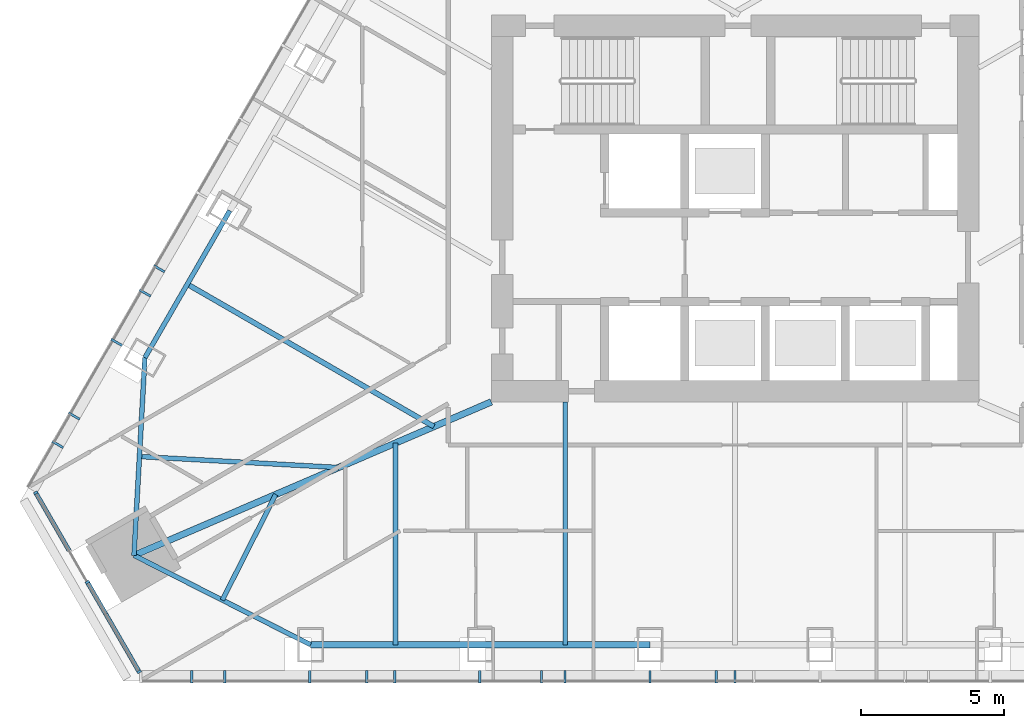
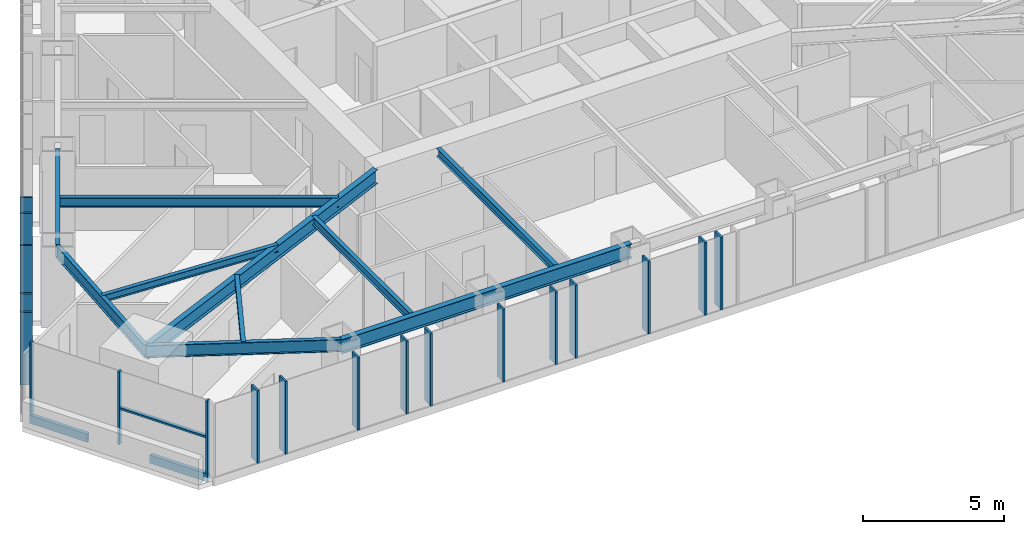
# One storey, part 2 of 15: 22 members, 10 beams, 3 elements without a shape of their own.
"""IFC4 building model written with IfcOpenShell, lengths in metres."""

import ifcopenshell
import ifcopenshell.guid

model = None  # the IFC model being written
_history = None  # IfcOwnerHistory: only IFC2X3 demands one
_inside = {}  # id of a spatial element -> (the spatial element, [elements in it])
_under = {}  # id of a project, library or spatial element -> (it, [spatial elements below it])
_declared = {}  # id of a project -> (the project, [libraries it declares])
_typed = {}  # id of a type object -> (the type object, [elements of that type])
_made_of = {}  # id of a material, layer set ... -> (it, [elements and type objects made of it])


def new_model(schema):
    """Start an empty IFC model of exactly this schema.

    Asked for "IFC4X3", IfcOpenShell would pick the latest addendum, in which some entities
    have other attributes; the version numbers below select the first issue.
    IFC2X3 requires an IfcOwnerHistory on every rooted entity: one is made here for all.
    """
    global model, _history
    if schema == "IFC4X3":
        model = ifcopenshell.file(schema_version=(4, 3, 0, 0))
    else:
        model = ifcopenshell.file(schema=schema)
    _inside.clear()
    _under.clear()
    _declared.clear()
    _typed.clear()
    _made_of.clear()
    _history = None
    if model.schema == "IFC2X3":
        org = make("IfcOrganization", Name="unknown")
        user = make(
            "IfcPersonAndOrganization",
            ThePerson=make("IfcPerson", FamilyName="unknown"),
            TheOrganization=org,
        )
        app = make(
            "IfcApplication",
            ApplicationDeveloper=org,
            Version="unknown",
            ApplicationFullName="unknown",
            ApplicationIdentifier="unknown",
        )
        _history = make(
            "IfcOwnerHistory",
            OwningUser=user,
            OwningApplication=app,
            ChangeAction="ADDED",
            CreationDate=0,
        )
    return model


def make(cls, **values):
    """One entity of the class cls with the attributes given. An attribute that is None is left unset."""
    return model.create_entity(
        cls, **{name: value for name, value in values.items() if value is not None}
    )


def rooted(cls, **values):
    """An entity with a GlobalId (a new one), such as an element, a storey or a relation."""
    return make(cls, GlobalId=ifcopenshell.guid.new(), OwnerHistory=_history, **values)


def si_unit(unit_type, name, prefix=None):
    """IfcSIUnit, for example si_unit("LENGTHUNIT", "METRE", prefix="MILLI")."""
    return make("IfcSIUnit", UnitType=unit_type, Prefix=prefix, Name=name)


def assignment(units):
    """IfcUnitAssignment: the units of a project."""
    return None if units is None else make("IfcUnitAssignment", Units=units)


def point(xyz):
    """IfcCartesianPoint."""
    return None if xyz is None else make("IfcCartesianPoint", Coordinates=xyz)


def direction(xyz):
    """IfcDirection."""
    return None if xyz is None else make("IfcDirection", DirectionRatios=xyz)


def frame(location, z_axis=None, x_axis=None):
    """IfcAxis2Placement3D, a coordinate frame: its origin and axes. An axis left out is left unset."""
    return make(
        "IfcAxis2Placement3D",
        Location=point(location),
        Axis=direction(z_axis),
        RefDirection=direction(x_axis),
    )


def frame_2d(location, x_axis=None):
    """IfcAxis2Placement2D, a coordinate frame in the plane: its origin and x axis."""
    return make(
        "IfcAxis2Placement2D", Location=point(location), RefDirection=direction(x_axis)
    )


def origin():
    """The frame at (0, 0, 0) with its axes left unset."""
    return frame((0.0, 0.0, 0.0))


def origin_2d():
    """The frame at (0, 0) in the plane with its x axis left unset."""
    return frame_2d((0.0, 0.0))


def place(relative_to, where):
    """IfcLocalPlacement: puts the frame where relative to a parent placement (None: the world)."""
    return make(
        "IfcLocalPlacement", PlacementRelTo=relative_to, RelativePlacement=where
    )


def context(
    kind, dimensions, precision=None, world=None, true_north=None, identifier=None
):
    """IfcGeometricRepresentationContext, for example the 3D "Model" context."""
    return make(
        "IfcGeometricRepresentationContext",
        ContextIdentifier=identifier,
        ContextType=kind,
        CoordinateSpaceDimension=dimensions,
        Precision=precision,
        WorldCoordinateSystem=world,
        TrueNorth=true_north,
    )


def subcontext(parent, identifier, kind, view, scale=None):
    """IfcGeometricRepresentationSubContext, for example "Body" below "Model"."""
    return make(
        "IfcGeometricRepresentationSubContext",
        ContextIdentifier=identifier,
        ContextType=kind,
        ParentContext=parent,
        TargetScale=scale,
        TargetView=view,
    )


def project(units=None, contexts=None):
    """IfcProject with its units and contexts."""
    return rooted(
        "IfcProject",
        Name="project",
        RepresentationContexts=contexts,
        UnitsInContext=assignment(units),
    )


def spatial(cls, under=None, at=None, **own):
    """A site, building, storey or space (cls), placed at a placement, below another one or the project."""
    s = rooted(cls, ObjectPlacement=at, **own)
    if under is not None:
        _under.setdefault(under.id(), (under, []))[1].append(s)
    return s


def profile(cls, at=None, kind="AREA", **sizes):
    """A parametric profile (cls). Its sizes go by their IFC names, for example OverallWidth=200.0."""
    return make(cls, ProfileType=kind, Position=at, **sizes)


def rectangle(**sizes):
    """IfcRectangleProfileDef."""
    return profile("IfcRectangleProfileDef", **sizes)


def i_section(**sizes):
    """IfcIShapeProfileDef."""
    return profile("IfcIShapeProfileDef", **sizes)


def extrude(swept, where, along, depth):
    """IfcExtrudedAreaSolid: the profile swept, set in the frame where, extruded along a direction by depth."""
    return make(
        "IfcExtrudedAreaSolid",
        SweptArea=swept,
        Position=where,
        ExtrudedDirection=direction(along),
        Depth=depth,
    )


def shape(context_of_items, identifier, shape_type, items):
    """IfcShapeRepresentation: the items that make up one representation, for example the "Body"."""
    return make(
        "IfcShapeRepresentation",
        ContextOfItems=context_of_items,
        RepresentationIdentifier=identifier,
        RepresentationType=shape_type,
        Items=items,
    )


def material(Name=None, Category=None):
    """IfcMaterial."""
    return make("IfcMaterial", Name=Name, Category=Category)


def layer(
    of_material, thickness, ventilated=None, Name=None, Category=None, Priority=None
):
    """IfcMaterialLayer: one layer of a wall or slab, of a material (None: an air gap)."""
    return make(
        "IfcMaterialLayer",
        Material=of_material,
        LayerThickness=thickness,
        IsVentilated=ventilated,
        Name=Name,
        Category=Category,
        Priority=Priority,
    )


def layer_set(layers, Name=None):
    """IfcMaterialLayerSet."""
    return make("IfcMaterialLayerSet", MaterialLayers=layers, LayerSetName=Name)


def material_profile(
    of_material, cross_section, Name=None, Category=None, Priority=None
):
    """IfcMaterialProfile: a cross section and its material."""
    return make(
        "IfcMaterialProfile",
        Name=Name,
        Material=of_material,
        Profile=cross_section,
        Priority=Priority,
        Category=Category,
    )


def profile_set(profiles, Name=None, composite=None):
    """IfcMaterialProfileSet."""
    return make(
        "IfcMaterialProfileSet",
        Name=Name,
        MaterialProfiles=profiles,
        CompositeProfile=composite,
    )


def made_of(thing, what):
    """Note that an element or type object is made of a material, layer set ...; save() writes the relation."""
    if what is not None:
        _made_of.setdefault(what.id(), (what, []))[1].append(thing)
    return thing


def type_object(cls, material=None, **own):
    """A type object (cls), such as IfcWallType, which elements share."""
    return made_of(rooted(cls, **own), material)


def element(
    cls,
    number,
    at=None,
    inside=None,
    cuts=None,
    type_object=None,
    material=None,
    context=None,
    identifier="Body",
    shape_type=None,
    held_by="IfcProductDefinitionShape",
    body=None,
    shapes=None,
    **own,
):
    """One element of the class cls, such as IfcWall. Its Tag is "e" and its number.

    at: its placement. inside: the storey or other place that contains it. cuts: it is an
    opening in that element (IfcRelVoidsElement). A single representation is given by context,
    identifier, shape_type and body (its items); several are given by shapes. held_by: the class
    of the entity that holds the representations. save() writes the other relations.
    """
    e = rooted(cls, Tag="e%d" % number, ObjectPlacement=at, **own)
    if body is not None:
        shapes = [shape(context, identifier, shape_type, body)]
    if shapes is not None:
        e.Representation = make(held_by, Representations=shapes)
    if inside is not None:
        _inside.setdefault(inside.id(), (inside, []))[1].append(e)
    if cuts is not None:
        rooted(
            "IfcRelVoidsElement", RelatingBuildingElement=cuts, RelatedOpeningElement=e
        )
    if type_object is not None:
        _typed.setdefault(type_object.id(), (type_object, []))[1].append(e)
    return made_of(e, material)


def aggregate(whole, parts):
    """IfcRelAggregates: a whole, such as a stair, and the parts it consists of."""
    return rooted("IfcRelAggregates", RelatingObject=whole, RelatedObjects=parts)


def save(model, path):
    """Write the relations noted so far, then the file.

    IfcRelAggregates (storeys below a building ...), IfcRelContainedInSpatialStructure (elements
    in a storey), IfcRelDefinesByType, IfcRelAssociatesMaterial and IfcRelDeclares: one each for
    every whole, place, type object, material and project.
    """
    for whole, parts in _under.values():
        aggregate(whole, parts)
    for where, things in _inside.values():
        rooted(
            "IfcRelContainedInSpatialStructure",
            RelatedElements=things,
            RelatingStructure=where,
        )
    for kind, things in _typed.values():
        rooted("IfcRelDefinesByType", RelatedObjects=things, RelatingType=kind)
    for what, things in _made_of.values():
        rooted("IfcRelAssociatesMaterial", RelatedObjects=things, RelatingMaterial=what)
    for by, libraries in _declared.values():
        rooted("IfcRelDeclares", RelatingContext=by, RelatedDefinitions=libraries)
    model.write(path)


model = new_model("IFC4")

# Units and contexts
model_context = context("Model", 3, precision=1e-05, world=origin(), true_north=direction((0.0, 1.0)))
body_context = subcontext(model_context, "Body", "Model", "MODEL_VIEW")
ifc_project = project(units=[si_unit("LENGTHUNIT", "METRE"), si_unit("AREAUNIT", "SQUARE_METRE"), si_unit("VOLUMEUNIT", "CUBIC_METRE"), si_unit("PLANEANGLEUNIT", "RADIAN"), si_unit("MASSUNIT", "GRAM", prefix="KILO")], contexts=[model_context])

# Site, building, storey
site_placement = place(None, origin())
site = spatial("IfcSite", under=ifc_project, at=site_placement, CompositionType="ELEMENT")
building_placement = place(site_placement, origin())
building = spatial("IfcBuilding", under=site, at=building_placement, Name="Firuza Gate Tower and Library", CompositionType="ELEMENT")
storey_placement = place(building_placement, frame((0.0, 0.0, 309.10009765625)))
storey = spatial("IfcBuildingStorey", under=building, at=storey_placement, Name="L75", CompositionType="ELEMENT", Elevation=309.10009765625)

# Curtain wall, members
ifc_material_1 = material(Name="Aluminium 6063-T6", Category="aluminium")
ifc_layer_1 = layer(ifc_material_1, 0.14990234375)
ifc_layer_set_1 = layer_set([ifc_layer_1], Name="Corner curtain wall, chamfers")
curtain_wall_type_1 = type_object("IfcCurtainWallType", Name="Corner curtain wall, chamfers", PredefinedType="NOTDEFINED", material=ifc_layer_set_1)
placement = place(storey_placement, origin())
curtain_wall_1 = element("IfcCurtainWall", 1, at=placement, inside=storey, type_object=curtain_wall_type_1, Name="CW4 L75 SW corner", PredefinedType="NOTDEFINED")
ifc_material_2 = material(Name="Aluminium 6063-T6", Category="aluminium")
ifc_material_profile_1 = material_profile(ifc_material_2, rectangle(XDim=0.14990234375, YDim=0.080078125, at=origin_2d()))
ifc_profile_set_1 = profile_set([ifc_material_profile_1], Name="Aluminium 6063-T6")
member_type_1 = type_object("IfcMemberType", Name="Curtain wall mullion 80x150", PredefinedType="MULLION", material=ifc_profile_set_1)
member_1_placement = place(storey_placement, frame((50.61328125, 65.0810546875, 0.14990234375), z_axis=(0.0, 0.0, 1.0), x_axis=(0.866025403784, 0.5, 0.0)))
member_1 = element("IfcMember", 2, at=member_1_placement, type_object=member_type_1, Name="Mullion", PredefinedType="MULLION", context=body_context, shape_type="SweptSolid", body=[
    extrude(rectangle(XDim=0.14990234375, YDim=0.080078125, at=origin_2d()), origin(), (0.0, 0.0, 1.0), 3.14990234375),
])
member_2_placement = place(storey_placement, frame((52.4150390625, 61.960693359375, 0.14990234375), z_axis=(0.0, 0.0, 1.0), x_axis=(0.866025403784, 0.5, 0.0)))
member_2 = element("IfcMember", 3, at=member_2_placement, type_object=member_type_1, Name="Mullion", PredefinedType="MULLION", context=body_context, shape_type="SweptSolid", body=[
    extrude(rectangle(XDim=0.14990234375, YDim=0.080078125, at=origin_2d()), origin(), (0.0, 0.0, 1.0), 3.14990234375),
])
member_3_placement = place(storey_placement, frame((54.216796875, 58.840087890625, 0.14990234375), z_axis=(0.0, 0.0, 1.0), x_axis=(0.866025403784, 0.5, 0.0)))
member_3 = element("IfcMember", 4, at=member_3_placement, type_object=member_type_1, Name="Mullion", PredefinedType="MULLION", context=body_context, shape_type="SweptSolid", body=[
    extrude(rectangle(XDim=0.14990234375, YDim=0.080078125, at=origin_2d()), origin(), (0.0, 0.0, 1.0), 3.14990234375),
])

ifc_material_3 = material(Name="Aluminium 6063-T6", Category="aluminium")
ifc_layer_2 = layer(ifc_material_3, 0.14990234375)
ifc_layer_set_2 = layer_set([ifc_layer_2], Name="Unitised curtain wall, residences")
curtain_wall_type_2 = type_object("IfcCurtainWallType", Name="Unitised curtain wall, residences", PredefinedType="NOTDEFINED", material=ifc_layer_set_2)
curtain_wall_2 = element("IfcCurtainWall", 5, at=placement, inside=storey, type_object=curtain_wall_type_2, Name="CW3 L75 S face", PredefinedType="NOTDEFINED")
ifc_material_4 = material(Name="Aluminium 6063-T6", Category="aluminium")
ifc_material_profile_2 = material_profile(ifc_material_4, rectangle(XDim=0.43994140625, YDim=0.080078125, at=origin_2d()))
ifc_profile_set_2 = profile_set([ifc_material_profile_2], Name="Aluminium 6063-T6")
member_type_2 = type_object("IfcMemberType", Name="Curtain wall mullion 80x440", PredefinedType="MULLION", material=ifc_profile_set_2)
member_4_placement = place(storey_placement, frame((57.202880859375, 58.660400390625, 0.14990234375), z_axis=(0.0, 0.0, 1.0), x_axis=(0.0, 1.0, 0.0)))
member_4 = element("IfcMember", 6, at=member_4_placement, type_object=member_type_2, Name="Mullion", PredefinedType="MULLION", context=body_context, shape_type="SweptSolid", body=[
    extrude(rectangle(XDim=0.43994140625, YDim=0.080078125, at=origin_2d()), origin(), (0.0, 0.0, 1.0), 3.14990234375),
])
member_5_placement = place(storey_placement, frame((60.169189453125, 58.660400390625, 0.14990234375), z_axis=(0.0, 0.0, 1.0), x_axis=(0.0, 1.0, 0.0)))
member_5 = element("IfcMember", 7, at=member_5_placement, type_object=member_type_2, Name="Mullion", PredefinedType="MULLION", context=body_context, shape_type="SweptSolid", body=[
    extrude(rectangle(XDim=0.43994140625, YDim=0.080078125, at=origin_2d()), origin(), (0.0, 0.0, 1.0), 3.14990234375),
])
member_6_placement = place(storey_placement, frame((63.13525390625, 58.660400390625, 0.14990234375), z_axis=(0.0, 0.0, 1.0), x_axis=(0.0, 1.0, 0.0)))
member_6 = element("IfcMember", 8, at=member_6_placement, type_object=member_type_2, Name="Mullion", PredefinedType="MULLION", context=body_context, shape_type="SweptSolid", body=[
    extrude(rectangle(XDim=0.43994140625, YDim=0.080078125, at=origin_2d()), origin(), (0.0, 0.0, 1.0), 3.14990234375),
])
member_7_placement = place(storey_placement, frame((66.1015625, 58.660400390625, 0.14990234375), z_axis=(0.0, 0.0, 1.0), x_axis=(0.0, 1.0, 0.0)))
member_7 = element("IfcMember", 9, at=member_7_placement, type_object=member_type_2, Name="Mullion", PredefinedType="MULLION", context=body_context, shape_type="SweptSolid", body=[
    extrude(rectangle(XDim=0.43994140625, YDim=0.080078125, at=origin_2d()), origin(), (0.0, 0.0, 1.0), 3.14990234375),
])
member_8_placement = place(storey_placement, frame((69.067626953125, 58.660400390625, 0.14990234375), z_axis=(0.0, 0.0, 1.0), x_axis=(0.0, 1.0, 0.0)))
member_8 = element("IfcMember", 10, at=member_8_placement, type_object=member_type_2, Name="Mullion", PredefinedType="MULLION", context=body_context, shape_type="SweptSolid", body=[
    extrude(rectangle(XDim=0.43994140625, YDim=0.080078125, at=origin_2d()), origin(), (0.0, 0.0, 1.0), 3.14990234375),
])
member_9_placement = place(storey_placement, frame((72.033935546875, 58.660400390625, 0.14990234375), z_axis=(0.0, 0.0, 1.0), x_axis=(0.0, 1.0, 0.0)))
member_9 = element("IfcMember", 11, at=member_9_placement, type_object=member_type_2, Name="Mullion", PredefinedType="MULLION", context=body_context, shape_type="SweptSolid", body=[
    extrude(rectangle(XDim=0.43994140625, YDim=0.080078125, at=origin_2d()), origin(), (0.0, 0.0, 1.0), 3.14990234375),
])
member_10_placement = place(storey_placement, frame((75.0, 58.660400390625, 0.14990234375), z_axis=(0.0, 0.0, 1.0), x_axis=(0.0, 1.0, 0.0)))
member_10 = element("IfcMember", 12, at=member_10_placement, type_object=member_type_2, Name="Mullion", PredefinedType="MULLION", context=body_context, shape_type="SweptSolid", body=[
    extrude(rectangle(XDim=0.43994140625, YDim=0.080078125, at=origin_2d()), origin(), (0.0, 0.0, 1.0), 3.14990234375),
])
member_11_placement = place(storey_placement, frame((56.05859375, 58.660400390625, 0.14990234375), z_axis=(0.0, 0.0, 1.0), x_axis=(0.0, 1.0, 0.0)))
member_11 = element("IfcMember", 13, at=member_11_placement, type_object=member_type_2, Name="Mullion", PredefinedType="MULLION", context=body_context, shape_type="SweptSolid", body=[
    extrude(rectangle(XDim=0.43994140625, YDim=0.080078125, at=origin_2d()), origin(), (0.0, 0.0, 1.0), 3.14990234375),
])
member_12_placement = place(storey_placement, frame((62.154541015625, 58.660400390625, 0.14990234375), z_axis=(0.0, 0.0, 1.0), x_axis=(0.0, 1.0, 0.0)))
member_12 = element("IfcMember", 14, at=member_12_placement, type_object=member_type_2, Name="Mullion", PredefinedType="MULLION", context=body_context, shape_type="SweptSolid", body=[
    extrude(rectangle(XDim=0.43994140625, YDim=0.080078125, at=origin_2d()), origin(), (0.0, 0.0, 1.0), 3.14990234375),
])
member_13_placement = place(storey_placement, frame((68.250732421875, 58.660400390625, 0.14990234375), z_axis=(0.0, 0.0, 1.0), x_axis=(0.0, 1.0, 0.0)))
member_13 = element("IfcMember", 15, at=member_13_placement, type_object=member_type_2, Name="Mullion", PredefinedType="MULLION", context=body_context, shape_type="SweptSolid", body=[
    extrude(rectangle(XDim=0.43994140625, YDim=0.080078125, at=origin_2d()), origin(), (0.0, 0.0, 1.0), 3.14990234375),
])
member_14_placement = place(storey_placement, frame((74.3466796875, 58.660400390625, 0.14990234375), z_axis=(0.0, 0.0, 1.0), x_axis=(0.0, 1.0, 0.0)))
member_14 = element("IfcMember", 16, at=member_14_placement, type_object=member_type_2, Name="Mullion", PredefinedType="MULLION", context=body_context, shape_type="SweptSolid", body=[
    extrude(rectangle(XDim=0.43994140625, YDim=0.080078125, at=origin_2d()), origin(), (0.0, 0.0, 1.0), 3.14990234375),
])
aggregate(curtain_wall_2, [member_4, member_5, member_6, member_7, member_8, member_9, member_10, member_11, member_12, member_13, member_14])

curtain_wall_3 = element("IfcCurtainWall", 17, at=placement, inside=storey, type_object=curtain_wall_type_2, Name="CW3 L75 W face", PredefinedType="NOTDEFINED")
member_15_placement = place(storey_placement, frame((54.9169921875, 72.89453125, 0.14990234375), z_axis=(0.0, 0.0, 1.0), x_axis=(0.866025403784, -0.5, 0.0)))
member_15 = element("IfcMember", 18, at=member_15_placement, type_object=member_type_2, Name="Mullion", PredefinedType="MULLION", context=body_context, shape_type="SweptSolid", body=[
    extrude(rectangle(XDim=0.43994140625, YDim=0.080078125, at=origin_2d()), origin(), (0.0, 0.0, 1.0), 3.14990234375),
])
member_16_placement = place(storey_placement, frame((53.43408203125, 70.325927734375, 0.14990234375), z_axis=(0.0, 0.0, 1.0), x_axis=(0.866025403784, -0.5, 0.0)))
member_16 = element("IfcMember", 19, at=member_16_placement, type_object=member_type_2, Name="Mullion", PredefinedType="MULLION", context=body_context, shape_type="SweptSolid", body=[
    extrude(rectangle(XDim=0.43994140625, YDim=0.080078125, at=origin_2d()), origin(), (0.0, 0.0, 1.0), 3.14990234375),
])
member_17_placement = place(storey_placement, frame((51.950927734375, 67.757080078125, 0.14990234375), z_axis=(0.0, 0.0, 1.0), x_axis=(0.866025403784, -0.5, 0.0)))
member_17 = element("IfcMember", 20, at=member_17_placement, type_object=member_type_2, Name="Mullion", PredefinedType="MULLION", context=body_context, shape_type="SweptSolid", body=[
    extrude(rectangle(XDim=0.43994140625, YDim=0.080078125, at=origin_2d()), origin(), (0.0, 0.0, 1.0), 3.14990234375),
])
member_18_placement = place(storey_placement, frame((54.4267578125, 72.04541015625, 0.14990234375), z_axis=(0.0, 0.0, 1.0), x_axis=(0.866025403784, -0.5, 0.0)))
member_18 = element("IfcMember", 21, at=member_18_placement, type_object=member_type_2, Name="Mullion", PredefinedType="MULLION", context=body_context, shape_type="SweptSolid", body=[
    extrude(rectangle(XDim=0.43994140625, YDim=0.080078125, at=origin_2d()), origin(), (0.0, 0.0, 1.0), 3.14990234375),
])
member_19_placement = place(storey_placement, frame((51.37890625, 66.76611328125, 0.14990234375), z_axis=(0.0, 0.0, 1.0), x_axis=(0.866025403784, -0.5, 0.0)))
member_19 = element("IfcMember", 22, at=member_19_placement, type_object=member_type_2, Name="Mullion", PredefinedType="MULLION", context=body_context, shape_type="SweptSolid", body=[
    extrude(rectangle(XDim=0.43994140625, YDim=0.080078125, at=origin_2d()), origin(), (0.0, 0.0, 1.0), 3.14990234375),
])
aggregate(curtain_wall_3, [member_15, member_16, member_17, member_18, member_19])

# Member
ifc_material_5 = material(Name="Aluminium 6063-T6", Category="aluminium")
ifc_material_profile_3 = material_profile(ifc_material_5, rectangle(XDim=0.14990234375, YDim=0.35009765625, at=origin_2d()))
ifc_profile_set_3 = profile_set([ifc_material_profile_3], Name="Aluminium 6063-T6")
member_type_3 = type_object("IfcMemberType", Name="Curtain wall transom 350x150", PredefinedType="USERDEFINED", material=ifc_profile_set_3)
member_20_placement = place(storey_placement, frame((50.593505859375, 65.11572265625, -0.025146484375), z_axis=(0.500005632288, -0.866022151957, 0.0), x_axis=(0.866022151957, 0.500005632288, 0.0)))
member_20 = element("IfcMember", 23, at=member_20_placement, type_object=member_type_3, Name="Transom", ObjectType="TRANSOM", PredefinedType="USERDEFINED", context=body_context, shape_type="SweptSolid", body=[
    extrude(rectangle(XDim=0.14990234375, YDim=0.35009765625, at=origin_2d()), origin(), (0.0, 0.0, 1.0), 2.36328125),
])

member_21_placement = place(storey_placement, frame((53.054931640625, 60.85205078125, -0.025146484375), z_axis=(0.500083105915, -0.865977417245, 0.0), x_axis=(0.865977417245, 0.500083105915, 0.0)))
member_21 = element("IfcMember", 24, at=member_21_placement, type_object=member_type_3, Name="Transom", ObjectType="TRANSOM", PredefinedType="USERDEFINED", context=body_context, shape_type="SweptSolid", body=[
    extrude(rectangle(XDim=0.14990234375, YDim=0.35009765625, at=origin_2d()), origin(), (0.0, 0.0, 1.0), 2.36328125),
])

ifc_material_6 = material(Name="Aluminium 6063-T6", Category="aluminium")
ifc_material_profile_4 = material_profile(ifc_material_6, rectangle(XDim=0.14990234375, YDim=0.080078125, at=origin_2d()))
ifc_profile_set_4 = profile_set([ifc_material_profile_4], Name="Aluminium 6063-T6")
member_type_4 = type_object("IfcMemberType", Name="Curtain wall transom 80x150", PredefinedType="USERDEFINED", material=ifc_profile_set_4)
member_22_placement = place(storey_placement, frame((52.43505859375, 61.926025390625, 1.724853515625), z_axis=(0.500015035186, -0.866016723041, 0.0), x_axis=(0.866016723041, 0.500015035186, 0.0)))
member_22 = element("IfcMember", 25, at=member_22_placement, type_object=member_type_4, Name="Transom", ObjectType="TRANSOM", PredefinedType="USERDEFINED", context=body_context, shape_type="SweptSolid", body=[
    extrude(rectangle(XDim=0.14990234375, YDim=0.080078125, at=origin_2d()), origin(), (0.0, 0.0, 1.0), 3.5634765625),
])

aggregate(curtain_wall_1, [member_1, member_2, member_3, member_20, member_21, member_22])

# Beams
ifc_material_7 = material(Name="Steel S355", Category="steel")
ifc_material_profile_5 = material_profile(ifc_material_7, i_section(OverallWidth=0.1650390625, OverallDepth=0.31005859375, WebThickness=0.005859375, FlangeThickness=0.009765625, at=origin_2d()))
ifc_profile_set_5 = profile_set([ifc_material_profile_5], Name="Steel S355")
beam_type_1 = type_object("IfcBeamType", Name="W310x39 Floor beam", PredefinedType="JOIST", material=ifc_profile_set_5)
beam_1_placement = place(storey_placement, frame((54.229248046875, 66.345458984375, 3.14501953125), z_axis=(0.998479843112, -0.055118081421, 0.0), x_axis=(0.055118081421, 0.998479843112, 0.0)))
element("IfcBeam", 26, at=beam_1_placement, inside=storey, type_object=beam_type_1, Name="Floor beam L75 s00", PredefinedType="JOIST", context=body_context, shape_type="SweptSolid", body=[
    extrude(i_section(OverallWidth=0.1650390625, OverallDepth=0.31005859375, WebThickness=0.005859375, FlangeThickness=0.009765625, at=origin_2d()), origin(), (0.0, 0.0, 1.0), 6.9541015625),
])
beam_2_placement = place(storey_placement, frame((57.119384765625, 61.339111328125, 3.14501953125), z_axis=(0.451491484808, 0.892275427851, 0.0), x_axis=(-0.892275427851, 0.451491484808, 0.0)))
element("IfcBeam", 27, at=beam_2_placement, inside=storey, type_object=beam_type_1, Name="Floor beam L75 s10", PredefinedType="JOIST", context=body_context, shape_type="SweptSolid", body=[
    extrude(i_section(OverallWidth=0.1650390625, OverallDepth=0.31005859375, WebThickness=0.005859375, FlangeThickness=0.009765625, at=origin_2d()), origin(), (0.0, 0.0, 1.0), 4.126953125),
])
ifc_material_8 = material(Name="Steel S355", Category="steel")
ifc_material_profile_6 = material_profile(ifc_material_8, i_section(OverallWidth=0.1708984375, OverallDepth=0.35498046875, WebThickness=0.007080078125, FlangeThickness=0.01171875, at=origin_2d()))
ifc_profile_set_6 = profile_set([ifc_material_profile_6], Name="Steel S355")
beam_type_2 = type_object("IfcBeamType", Name="W360x51 Floor beam", PredefinedType="JOIST", material=ifc_profile_set_6)
beam_3_placement = place(storey_placement, frame((63.159912109375, 59.7802734375, 3.122314453125), z_axis=(0.0, 1.0, 0.0), x_axis=(-1.0, 0.0, 0.0)))
element("IfcBeam", 28, at=beam_3_placement, inside=storey, type_object=beam_type_2, Name="Floor beam L75 s20", PredefinedType="JOIST", context=body_context, shape_type="SweptSolid", body=[
    extrude(i_section(OverallWidth=0.1708984375, OverallDepth=0.35498046875, WebThickness=0.007080078125, FlangeThickness=0.01171875, at=origin_2d()), origin(), (0.0, 0.0, 1.0), 7.03515625),
])
beam_4_placement = place(storey_placement, frame((69.080078125, 59.7802734375, 3.122314453125), z_axis=(0.0, 1.0, 0.0), x_axis=(-1.0, 0.0, 0.0)))
element("IfcBeam", 29, at=beam_4_placement, inside=storey, type_object=beam_type_2, Name="Floor beam L75 s21", PredefinedType="JOIST", context=body_context, shape_type="SweptSolid", body=[
    extrude(i_section(OverallWidth=0.1708984375, OverallDepth=0.35498046875, WebThickness=0.007080078125, FlangeThickness=0.01171875, at=origin_2d()), origin(), (0.0, 0.0, 1.0), 8.4697265625),
])
ifc_material_9 = material(Name="Steel S355", Category="steel")
ifc_material_profile_7 = material_profile(ifc_material_9, i_section(OverallWidth=0.177978515625, OverallDepth=0.406982421875, WebThickness=0.0078125, FlangeThickness=0.0126953125, at=origin_2d()))
ifc_profile_set_7 = profile_set([ifc_material_profile_7], Name="Steel S355")
beam_type_3 = type_object("IfcBeamType", Name="W410x60 Floor beam", PredefinedType="JOIST", material=ifc_profile_set_7)
beam_5_placement = place(storey_placement, frame((55.8994140625, 72.35595703125, 3.096435546875), z_axis=(0.866033287653, -0.49998634449, 0.0), x_axis=(0.49998634449, 0.866033287653, 0.0)))
element("IfcBeam", 30, at=beam_5_placement, inside=storey, type_object=beam_type_3, Name="Floor beam L75 s84", PredefinedType="JOIST", context=body_context, shape_type="SweptSolid", body=[
    extrude(i_section(OverallWidth=0.177978515625, OverallDepth=0.406982421875, WebThickness=0.0078125, FlangeThickness=0.0126953125, at=origin_2d()), origin(), (0.0, 0.0, 1.0), 9.930419921875),
])
ifc_material_10 = material(Name="Steel S355", Category="steel")
ifc_material_profile_8 = material_profile(ifc_material_10, i_section(OverallWidth=0.166015625, OverallDepth=0.534912109375, WebThickness=0.01025390625, FlangeThickness=0.0166015625, at=origin_2d()))
ifc_profile_set_8 = profile_set([ifc_material_profile_8], Name="Steel S355")
beam_type_4 = type_object("IfcBeamType", Name="W530x85 Edge beam", PredefinedType="SPANDREL", material=ifc_profile_set_8)
for number, where, z_axis, x_axis, name in (
    (31, (54.41943359375, 69.792724609375, 3.032470703125), (-0.055121451324, -0.998479657081, 0.0), (0.998479657081, -0.055121451324, 0.0), "Edge beam L75 e00"),
    (32, (54.038818359375, 62.898193359375, 3.032470703125), (0.89225291274, -0.451535978309, 0.0), (0.451535978309, 0.89225291274, 0.0), "Edge beam L75 e10"),
):
    element("IfcBeam", number, at=place(storey_placement, frame(where, z_axis=z_axis, x_axis=x_axis)), inside=storey, type_object=beam_type_4, Name=name, PredefinedType="SPANDREL", context=body_context, shape_type="SweptSolid", body=[
        extrude(i_section(OverallWidth=0.166015625, OverallDepth=0.534912109375, WebThickness=0.01025390625, FlangeThickness=0.0166015625, at=origin_2d()), origin(), (0.0, 0.0, 1.0), 6.905029296875),
    ])
beam_6_placement = place(storey_placement, frame((57.37939453125, 74.91943359375, 3.032470703125), z_axis=(-0.500006857261, -0.866021444707, 0.0), x_axis=(0.866021444707, -0.500006857261, 0.0)))
element("IfcBeam", 33, at=beam_6_placement, inside=storey, type_object=beam_type_4, Name="Edge beam L75 e84", PredefinedType="SPANDREL", context=body_context, shape_type="SweptSolid", body=[
    extrude(i_section(OverallWidth=0.166015625, OverallDepth=0.534912109375, WebThickness=0.01025390625, FlangeThickness=0.0166015625, at=origin_2d()), origin(), (0.0, 0.0, 1.0), 5.919921875),
])
ifc_material_11 = material(Name="Steel S355", Category="steel")
ifc_material_profile_9 = material_profile(ifc_material_11, i_section(OverallWidth=0.22802734375, OverallDepth=0.60302734375, WebThickness=0.010498046875, FlangeThickness=0.014892578125, at=origin_2d()))
ifc_profile_set_9 = profile_set([ifc_material_profile_9], Name="Steel S355")
beam_type_5 = type_object("IfcBeamType", Name="W610x101 Girder", PredefinedType="BEAM", material=ifc_profile_set_9)
beam_7_placement = place(storey_placement, frame((54.038818359375, 62.898193359375, 2.998291015625), z_axis=(0.918843070784, 0.394623125618, 0.0), x_axis=(-0.394623125618, 0.918843070784, 0.0)))
element("IfcBeam", 34, at=beam_7_placement, inside=storey, type_object=beam_type_5, Name="Girder L75 gSW", PredefinedType="BEAM", context=body_context, shape_type="SweptSolid", body=[
    extrude(i_section(OverallWidth=0.22802734375, OverallDepth=0.60302734375, WebThickness=0.010498046875, FlangeThickness=0.014892578125, at=origin_2d()), origin(), (0.0, 0.0, 1.0), 13.561767578125),
])
ifc_material_12 = material(Name="Steel S355", Category="steel")
ifc_material_profile_10 = material_profile(ifc_material_12, i_section(OverallWidth=0.22900390625, OverallDepth=0.612060546875, WebThickness=0.011962890625, FlangeThickness=0.01953125, at=origin_2d()))
ifc_profile_set_10 = profile_set([ifc_material_profile_10], Name="Steel S355")
beam_type_6 = type_object("IfcBeamType", Name="W610x125 Edge beam", PredefinedType="SPANDREL", material=ifc_profile_set_10)
beam_8_placement = place(storey_placement, frame((60.199951171875, 59.7802734375, 2.993896484375), z_axis=(1.0, 0.0, 0.0), x_axis=(0.0, 1.0, 0.0)))
element("IfcBeam", 35, at=beam_8_placement, inside=storey, type_object=beam_type_6, Name="Edge beam L75 e20", PredefinedType="SPANDREL", context=body_context, shape_type="SweptSolid", body=[
    extrude(i_section(OverallWidth=0.22900390625, OverallDepth=0.612060546875, WebThickness=0.011962890625, FlangeThickness=0.01953125, at=origin_2d()), origin(), (0.0, 0.0, 1.0), 11.840087890625),
])

save(model, "model.ifc")
